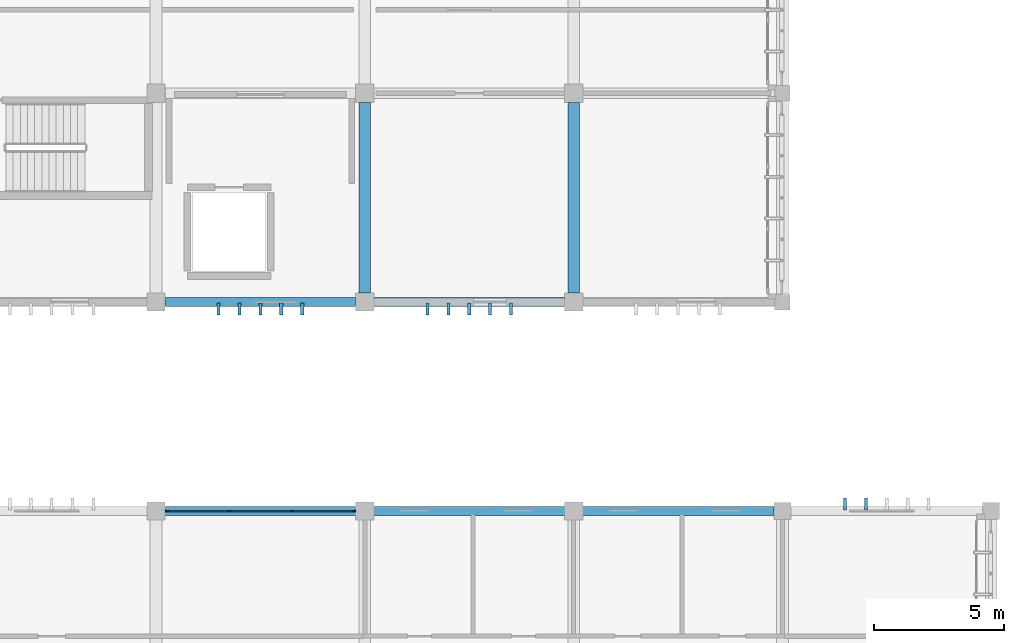
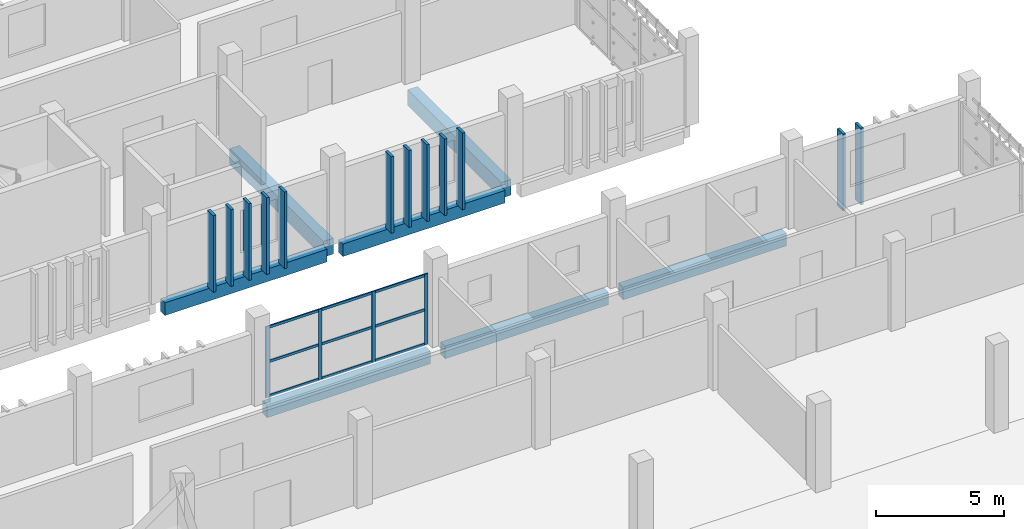
# One storey, part 65 of 137: 25 members, 7 beams, 1 element without a shape of its own.
"""IFC4 building model written with IfcOpenShell, lengths in metres."""

from ifc_helpers import new_model, si_unit, direction, frame, origin, origin_2d, place, context, subcontext, project, spatial, rectangle, extrude, material, layer, layer_set, material_profile, profile_set, type_object, element, aggregate, save


model = new_model("IFC4")

# Units and contexts
model_context = context("Model", 3, precision=1e-05, world=origin(), true_north=direction((0.0, 1.0)))
body_context = subcontext(model_context, "Body", "Model", "MODEL_VIEW")
ifc_project = project(units=[si_unit("LENGTHUNIT", "METRE"), si_unit("AREAUNIT", "SQUARE_METRE"), si_unit("VOLUMEUNIT", "CUBIC_METRE"), si_unit("PLANEANGLEUNIT", "RADIAN"), si_unit("MASSUNIT", "GRAM", prefix="KILO")], contexts=[model_context])

# Site, building, storey
site_placement = place(None, origin())
site = spatial("IfcSite", under=ifc_project, at=site_placement, CompositionType="ELEMENT")
building_placement = place(site_placement, origin())
building = spatial("IfcBuilding", under=site, at=building_placement, Name="Jelvoka-Kovrelna Polytechnic", CompositionType="ELEMENT")
storey_placement = place(building_placement, frame((0.0, 0.0, 9.60009765625)))
storey = spatial("IfcBuildingStorey", under=building, at=storey_placement, Name="L03", CompositionType="ELEMENT", Elevation=9.60009765625)

# Beams
ifc_material_1 = material(Name="Concrete C40/50", Category="concrete")
ifc_material_profile_1 = material_profile(ifc_material_1, rectangle(XDim=0.449951171875, YDim=0.75, at=origin_2d()), Name="RC 450x750")
ifc_profile_set_1 = profile_set([ifc_material_profile_1], Name="Concrete C40/50")
beam_type_1 = type_object("IfcBeamType", Name="Beam_RC_450x750", PredefinedType="BEAM", material=ifc_profile_set_1)
for number, where, z_axis, x_axis, name in (
    (1, (176.0, 56.35498046875, -0.64013671875), (0.0, 1.0, 0.0), (-1.0, 0.0, 0.0), "L03 beam 1082"),
    (2, (184.0, 56.35498046875, -0.64013671875), (0.0, 1.0, 0.0), (-1.0, 0.0, 0.0), "L03 beam 1084"),
):
    element("IfcBeam", number, at=place(storey_placement, frame(where, z_axis=z_axis, x_axis=x_axis)), inside=storey, type_object=beam_type_1, Name=name, PredefinedType="BEAM", context=body_context, shape_type="SweptSolid", body=[
        extrude(rectangle(XDim=0.449951171875, YDim=0.75, at=origin_2d()), origin(), (0.0, 0.0, 1.0), 7.2900390625),
    ])

# Members
ifc_material_2 = material(Name="Precast concrete C40/50", Category="concrete")
ifc_material_profile_2 = material_profile(ifc_material_2, rectangle(XDim=0.1201171875, YDim=0.449951171875, at=origin_2d()), Name="PC 120x450")
ifc_profile_set_2 = profile_set([ifc_material_profile_2], Name="Precast concrete C40/50")
member_type_1 = type_object("IfcMemberType", Name="Louvre_Fin_120x450", PredefinedType="USERDEFINED", material=ifc_profile_set_2)
for number, where, z_axis, x_axis, name in (
    (3, (194.39990234375, 48.264892578125, -0.27001953125), (0.0, 0.0, 1.0), (1.0, 0.0, 0.0), "L03 B2E north vertical solar louvre fin 0966"),
    (4, (195.199951171875, 48.264892578125, -0.27001953125), (0.0, 0.0, 1.0), (1.0, 0.0, 0.0), "L03 B2E north vertical solar louvre fin 0967"),
    (5, (170.39990234375, 55.735107421875, -0.27001953125), (0.0, 0.0, 1.0), (1.0, 0.0, 0.0), "L03 B3 south vertical solar louvre fin 1591"),
    (6, (171.199951171875, 55.735107421875, -0.27001953125), (0.0, 0.0, 1.0), (1.0, 0.0, 0.0), "L03 B3 south vertical solar louvre fin 1592"),
    (7, (172.0, 55.735107421875, -0.27001953125), (0.0, 0.0, 1.0), (1.0, 0.0, 0.0), "L03 B3 south vertical solar louvre fin 1593"),
    (8, (172.800048828125, 55.735107421875, -0.27001953125), (0.0, 0.0, 1.0), (1.0, 0.0, 0.0), "L03 B3 south vertical solar louvre fin 1594"),
    (9, (173.60009765625, 55.735107421875, -0.27001953125), (0.0, 0.0, 1.0), (1.0, 0.0, 0.0), "L03 B3 south vertical solar louvre fin 1595"),
    (10, (178.39990234375, 55.735107421875, -0.27001953125), (0.0, 0.0, 1.0), (1.0, 0.0, 0.0), "L03 B3 south vertical solar louvre fin 1601"),
    (11, (179.199951171875, 55.735107421875, -0.27001953125), (0.0, 0.0, 1.0), (1.0, 0.0, 0.0), "L03 B3 south vertical solar louvre fin 1602"),
    (12, (180.0, 55.735107421875, -0.27001953125), (0.0, 0.0, 1.0), (1.0, 0.0, 0.0), "L03 B3 south vertical solar louvre fin 1603"),
    (13, (180.800048828125, 55.735107421875, -0.27001953125), (0.0, 0.0, 1.0), (1.0, 0.0, 0.0), "L03 B3 south vertical solar louvre fin 1604"),
    (14, (181.60009765625, 55.735107421875, -0.27001953125), (0.0, 0.0, 1.0), (1.0, 0.0, 0.0), "L03 B3 south vertical solar louvre fin 1605"),
):
    element("IfcMember", number, at=place(storey_placement, frame(where, z_axis=z_axis, x_axis=x_axis)), inside=storey, type_object=member_type_1, Name=name, ObjectType="SUNSHADE", PredefinedType="USERDEFINED", context=body_context, shape_type="SweptSolid", body=[
        extrude(rectangle(XDim=0.1201171875, YDim=0.449951171875, at=origin_2d()), origin(), (0.0, 0.0, 1.0), 3.64501953125),
    ])

# Curtain wall, members
ifc_material_3 = material(Name="Anodised aluminium 6063-T6", Category="aluminium")
ifc_layer = layer(ifc_material_3, 0.159912109375)
ifc_layer_set = layer_set([ifc_layer], Name="Anodised aluminium 6063-T6")
curtain_wall_type = type_object("IfcCurtainWallType", Name="CW_Recessed_A", PredefinedType="NOTDEFINED", material=ifc_layer_set)
curtain_wall_placement = place(storey_placement, origin())
curtain_wall = element("IfcCurtainWall", 15, at=curtain_wall_placement, inside=storey, type_object=curtain_wall_type, Name="L03 glazed curtain wall 057", PredefinedType="NOTDEFINED")
ifc_material_4 = material(Name="Anodised aluminium 6063-T6", Category="aluminium")
ifc_material_profile_3 = material_profile(ifc_material_4, rectangle(XDim=0.06005859375, YDim=0.159912109375, at=origin_2d()), Name="ALU 60x160")
ifc_profile_set_3 = profile_set([ifc_material_profile_3], Name="Anodised aluminium 6063-T6")
member_type_2 = type_object("IfcMemberType", Name="Mullion_M-01", PredefinedType="MULLION", material=ifc_profile_set_3)
member_1_placement = place(storey_placement, frame((168.429931640625, 48.0, -0.02490234375), z_axis=(0.0, 0.0, 1.0), x_axis=(0.0, 1.0, 0.0)))
member_1 = element("IfcMember", 16, at=member_1_placement, type_object=member_type_2, Name="CW-01 mullion 1", PredefinedType="MULLION", context=body_context, shape_type="SweptSolid", body=[
    extrude(rectangle(XDim=0.06005859375, YDim=0.159912109375, at=origin_2d()), origin(), (0.0, 0.0, 1.0), 3.375),
])
member_2_placement = place(storey_placement, frame((170.800048828125, 48.0, -0.02490234375), z_axis=(0.0, 0.0, 1.0), x_axis=(0.0, 1.0, 0.0)))
member_2 = element("IfcMember", 17, at=member_2_placement, type_object=member_type_2, Name="CW-01 mullion 2", PredefinedType="MULLION", context=body_context, shape_type="SweptSolid", body=[
    extrude(rectangle(XDim=0.06005859375, YDim=0.159912109375, at=origin_2d()), origin(), (0.0, 0.0, 1.0), 3.375),
])
member_3_placement = place(storey_placement, frame((173.199951171875, 48.0, -0.02490234375), z_axis=(0.0, 0.0, 1.0), x_axis=(0.0, 1.0, 0.0)))
member_3 = element("IfcMember", 18, at=member_3_placement, type_object=member_type_2, Name="CW-01 mullion 3", PredefinedType="MULLION", context=body_context, shape_type="SweptSolid", body=[
    extrude(rectangle(XDim=0.06005859375, YDim=0.159912109375, at=origin_2d()), origin(), (0.0, 0.0, 1.0), 3.375),
])
member_4_placement = place(storey_placement, frame((175.570068359375, 48.0, -0.02490234375), z_axis=(0.0, 0.0, 1.0), x_axis=(0.0, 1.0, 0.0)))
member_4 = element("IfcMember", 19, at=member_4_placement, type_object=member_type_2, Name="CW-01 mullion 4", PredefinedType="MULLION", context=body_context, shape_type="SweptSolid", body=[
    extrude(rectangle(XDim=0.06005859375, YDim=0.159912109375, at=origin_2d()), origin(), (0.0, 0.0, 1.0), 3.375),
])

# Beams
ifc_material_5 = material(Name="Concrete C40/50", Category="concrete")
ifc_material_profile_4 = material_profile(ifc_material_5, rectangle(XDim=0.35009765625, YDim=0.60009765625, at=origin_2d()), Name="RC 350x600")
ifc_profile_set_4 = profile_set([ifc_material_profile_4], Name="Concrete C40/50")
beam_type_2 = type_object("IfcBeamType", Name="Spandrel_RC_350x600", PredefinedType="SPANDREL", material=ifc_profile_set_4)
for number, where, z_axis, x_axis, name in (
    (20, (168.330078125, 48.0, -0.565185546875), (1.0, 0.0, 0.0), (0.0, 1.0, 0.0), "L03 beam 0980"),
    (21, (176.330078125, 48.0, -0.565185546875), (1.0, 0.0, 0.0), (0.0, 1.0, 0.0), "L03 beam 0981"),
    (22, (184.330078125, 48.0, -0.565185546875), (1.0, 0.0, 0.0), (0.0, 1.0, 0.0), "L03 beam 0982"),
):
    element("IfcBeam", number, at=place(storey_placement, frame(where, z_axis=z_axis, x_axis=x_axis)), inside=storey, type_object=beam_type_2, Name=name, PredefinedType="SPANDREL", context=body_context, shape_type="SweptSolid", body=[
        extrude(rectangle(XDim=0.35009765625, YDim=0.60009765625, at=origin_2d()), origin(), (0.0, 0.0, 1.0), 7.33984375),
    ])
for number, where, z_axis, x_axis, name in (
    (23, (168.35498046875, 56.0, -0.565185546875), (1.0, 0.0, 0.0), (0.0, 1.0, 0.0), "L03 beam 1047"),
    (24, (176.35498046875, 56.0, -0.565185546875), (1.0, 0.0, 0.0), (0.0, 1.0, 0.0), "L03 beam 1048"),
):
    element("IfcBeam", number, at=place(storey_placement, frame(where, z_axis=z_axis, x_axis=x_axis)), inside=storey, type_object=beam_type_2, Name=name, PredefinedType="SPANDREL", context=body_context, shape_type="SweptSolid", body=[
        extrude(rectangle(XDim=0.35009765625, YDim=0.60009765625, at=origin_2d()), origin(), (0.0, 0.0, 1.0), 7.2900390625),
    ])

# Member
ifc_material_6 = material(Name="Anodised aluminium 6063-T6", Category="aluminium")
ifc_material_profile_5 = material_profile(ifc_material_6, rectangle(XDim=0.06005859375, YDim=0.1201171875, at=origin_2d()), Name="ALU 60x120")
ifc_profile_set_5 = profile_set([ifc_material_profile_5], Name="Anodised aluminium 6063-T6")
member_type_3 = type_object("IfcMemberType", Name="Transom_T-01", PredefinedType="USERDEFINED", material=ifc_profile_set_5)
member_5_placement = place(storey_placement, frame((168.4599609375, 48.0, 0.02978515625), z_axis=(1.0, 0.0, 0.0), x_axis=(0.0, 1.0, 0.0)))
member_5 = element("IfcMember", 25, at=member_5_placement, type_object=member_type_3, Name="CW-01 transom 1.1", ObjectType="TRANSOM", PredefinedType="USERDEFINED", context=body_context, shape_type="SweptSolid", body=[
    extrude(rectangle(XDim=0.06005859375, YDim=0.1201171875, at=origin_2d()), origin(), (0.0, 0.0, 1.0), 2.31005859375),
])

member_6_placement = place(storey_placement, frame((168.4599609375, 48.0, 1.662353515625), z_axis=(1.0, 0.0, 0.0), x_axis=(0.0, 1.0, 0.0)))
member_6 = element("IfcMember", 26, at=member_6_placement, type_object=member_type_3, Name="CW-01 transom 1.2", ObjectType="TRANSOM", PredefinedType="USERDEFINED", context=body_context, shape_type="SweptSolid", body=[
    extrude(rectangle(XDim=0.06005859375, YDim=0.1201171875, at=origin_2d()), origin(), (0.0, 0.0, 1.0), 2.31005859375),
])

member_7_placement = place(storey_placement, frame((168.4599609375, 48.0, 3.294921875), z_axis=(1.0, 0.0, 0.0), x_axis=(0.0, 1.0, 0.0)))
member_7 = element("IfcMember", 27, at=member_7_placement, type_object=member_type_3, Name="CW-01 transom 1.3", ObjectType="TRANSOM", PredefinedType="USERDEFINED", context=body_context, shape_type="SweptSolid", body=[
    extrude(rectangle(XDim=0.06005859375, YDim=0.1201171875, at=origin_2d()), origin(), (0.0, 0.0, 1.0), 2.31005859375),
])

member_8_placement = place(storey_placement, frame((170.830078125, 48.0, 0.02978515625), z_axis=(1.0, 0.0, 0.0), x_axis=(0.0, 1.0, 0.0)))
member_8 = element("IfcMember", 28, at=member_8_placement, type_object=member_type_3, Name="CW-01 transom 2.1", ObjectType="TRANSOM", PredefinedType="USERDEFINED", context=body_context, shape_type="SweptSolid", body=[
    extrude(rectangle(XDim=0.06005859375, YDim=0.1201171875, at=origin_2d()), origin(), (0.0, 0.0, 1.0), 2.33984375),
])

member_9_placement = place(storey_placement, frame((170.830078125, 48.0, 1.662353515625), z_axis=(1.0, 0.0, 0.0), x_axis=(0.0, 1.0, 0.0)))
member_9 = element("IfcMember", 29, at=member_9_placement, type_object=member_type_3, Name="CW-01 transom 2.2", ObjectType="TRANSOM", PredefinedType="USERDEFINED", context=body_context, shape_type="SweptSolid", body=[
    extrude(rectangle(XDim=0.06005859375, YDim=0.1201171875, at=origin_2d()), origin(), (0.0, 0.0, 1.0), 2.33984375),
])

member_10_placement = place(storey_placement, frame((170.830078125, 48.0, 3.294921875), z_axis=(1.0, 0.0, 0.0), x_axis=(0.0, 1.0, 0.0)))
member_10 = element("IfcMember", 30, at=member_10_placement, type_object=member_type_3, Name="CW-01 transom 2.3", ObjectType="TRANSOM", PredefinedType="USERDEFINED", context=body_context, shape_type="SweptSolid", body=[
    extrude(rectangle(XDim=0.06005859375, YDim=0.1201171875, at=origin_2d()), origin(), (0.0, 0.0, 1.0), 2.33984375),
])

member_11_placement = place(storey_placement, frame((173.22998046875, 48.0, 0.02978515625), z_axis=(1.0, 0.0, 0.0), x_axis=(0.0, 1.0, 0.0)))
member_11 = element("IfcMember", 31, at=member_11_placement, type_object=member_type_3, Name="CW-01 transom 3.1", ObjectType="TRANSOM", PredefinedType="USERDEFINED", context=body_context, shape_type="SweptSolid", body=[
    extrude(rectangle(XDim=0.06005859375, YDim=0.1201171875, at=origin_2d()), origin(), (0.0, 0.0, 1.0), 2.31005859375),
])

member_12_placement = place(storey_placement, frame((173.22998046875, 48.0, 1.662353515625), z_axis=(1.0, 0.0, 0.0), x_axis=(0.0, 1.0, 0.0)))
member_12 = element("IfcMember", 32, at=member_12_placement, type_object=member_type_3, Name="CW-01 transom 3.2", ObjectType="TRANSOM", PredefinedType="USERDEFINED", context=body_context, shape_type="SweptSolid", body=[
    extrude(rectangle(XDim=0.06005859375, YDim=0.1201171875, at=origin_2d()), origin(), (0.0, 0.0, 1.0), 2.31005859375),
])

member_13_placement = place(storey_placement, frame((173.22998046875, 48.0, 3.294921875), z_axis=(1.0, 0.0, 0.0), x_axis=(0.0, 1.0, 0.0)))
member_13 = element("IfcMember", 33, at=member_13_placement, type_object=member_type_3, Name="CW-01 transom 3.3", ObjectType="TRANSOM", PredefinedType="USERDEFINED", context=body_context, shape_type="SweptSolid", body=[
    extrude(rectangle(XDim=0.06005859375, YDim=0.1201171875, at=origin_2d()), origin(), (0.0, 0.0, 1.0), 2.31005859375),
])

aggregate(curtain_wall, [member_1, member_2, member_3, member_4, member_5, member_6, member_7, member_8, member_9, member_10, member_11, member_12, member_13])

save(model, "model.ifc")
